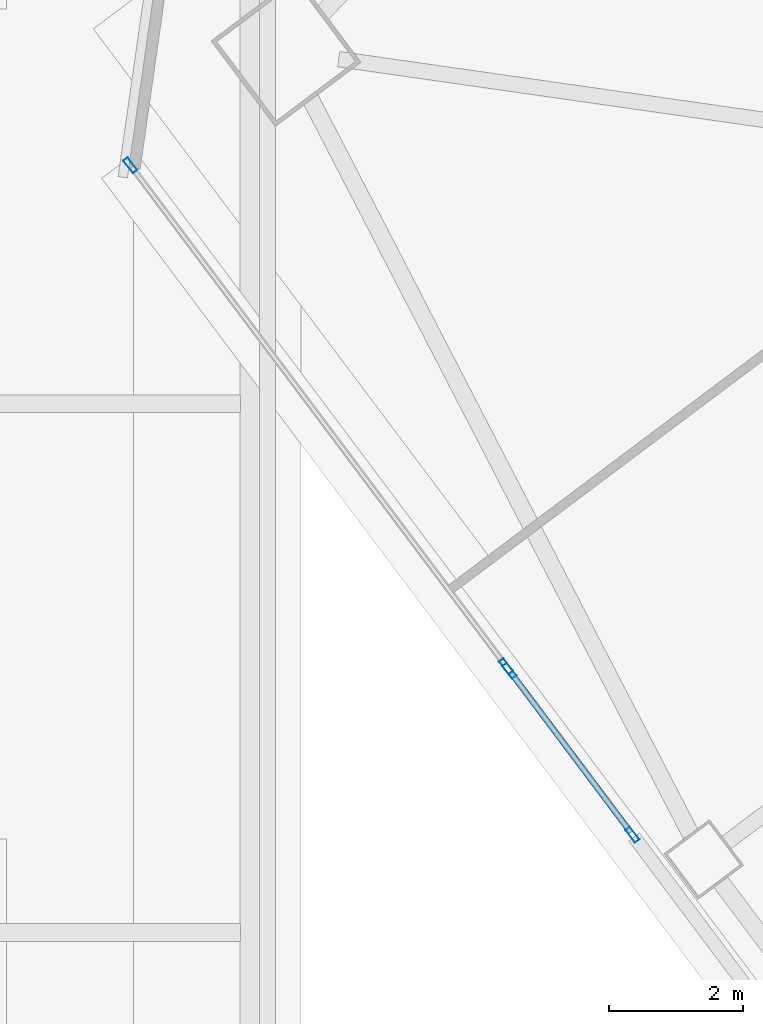
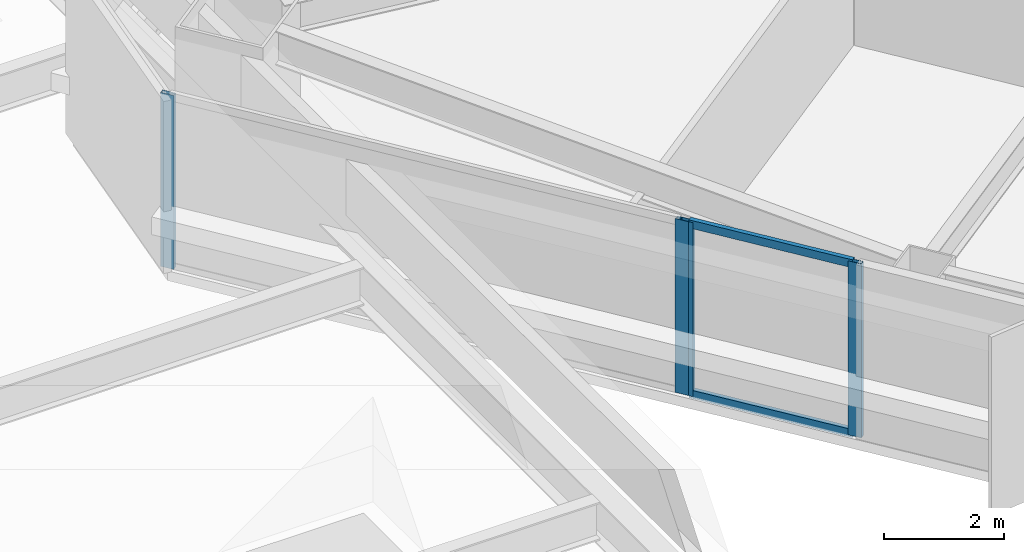
# One storey, part 23 of 62: 6 members, 2 elements without a shape of their own.
"""IFC4 building model written with IfcOpenShell, lengths in metres."""

from ifc_helpers import new_model, si_unit, direction, frame, origin, origin_2d, place, context, subcontext, project, spatial, hollow_rectangle, extrude, material, material_profile, profile_set, type_object, element, aggregate, save


model = new_model("IFC4")

# Units and contexts
model_context = context("Model", 3, precision=1e-05, world=origin(), true_north=direction((0.0, 1.0)))
body_context = subcontext(model_context, "Body", "Model", "MODEL_VIEW")
ifc_project = project(units=[si_unit("LENGTHUNIT", "METRE"), si_unit("AREAUNIT", "SQUARE_METRE"), si_unit("VOLUMEUNIT", "CUBIC_METRE"), si_unit("PLANEANGLEUNIT", "RADIAN"), si_unit("MASSUNIT", "GRAM", prefix="KILO")], contexts=[model_context])

# Site, building, storey
site_placement = place(None, origin())
site = spatial("IfcSite", under=ifc_project, at=site_placement, CompositionType="ELEMENT")
building_placement = place(site_placement, origin())
building = spatial("IfcBuilding", under=site, at=building_placement, Name="Tashvorn Skyway Center", CompositionType="ELEMENT")
storey_placement = place(building_placement, frame((0.0, 0.0, 28.14990234375)))
storey = spatial("IfcBuildingStorey", under=building, at=storey_placement, Name="L06", CompositionType="ELEMENT", Elevation=28.14990234375)

# Curtain wall, members
ifc_material = material(Name="Thermally broken bronze-anodized aluminium 6063-T6", Category="aluminium")
curtain_wall_type = type_object("IfcCurtainWallType", Name="CW-CW-Z1", PredefinedType="NOTDEFINED", material=ifc_material)
curtain_wall_1_placement = place(storey_placement, origin())
curtain_wall_1 = element("IfcCurtainWall", 1, at=curtain_wall_1_placement, inside=storey, type_object=curtain_wall_type, Name="Tower 2 L06 West Unitised Curtain Wall Glazing Group 3", PredefinedType="NOTDEFINED")
ifc_material_profile_1 = material_profile(ifc_material, hollow_rectangle(XDim=0.0849609375, YDim=0.239990234375, WallThickness=0.0048828125, at=origin_2d()), Name="ALU-MULL-85x240")
ifc_profile_set_1 = profile_set([ifc_material_profile_1], Name="Thermally broken bronze-anodized aluminium 6063-T6")
member_type_1 = type_object("IfcMemberType", Name="CWM-CW-Z1", PredefinedType="MULLION", material=ifc_profile_set_1)
member_1_placement = place(storey_placement, frame((92.8544921875, 24.060791015625, 0.0), z_axis=(0.0, 0.0, 1.0), x_axis=(-0.799996186392, -0.600005084776, 0.0)))
member_1 = element("IfcMember", 2, at=member_1_placement, type_object=member_type_1, Name="CW-Z1 mullion 1", PredefinedType="MULLION", context=body_context, shape_type="SweptSolid", body=[
    extrude(hollow_rectangle(XDim=0.0849609375, YDim=0.239990234375, WallThickness=0.0048828125, at=origin_2d()), origin(), (0.0, 0.0, 1.0), 3.550048828125),
])
member_2_placement = place(storey_placement, frame((91.017578125, 26.510009765625, 0.0), z_axis=(0.0, 0.0, 1.0), x_axis=(-0.799996186392, -0.600005084776, 0.0)))
member_2 = element("IfcMember", 3, at=member_2_placement, type_object=member_type_1, Name="CW-Z1 mullion 2", PredefinedType="MULLION", context=body_context, shape_type="SweptSolid", body=[
    extrude(hollow_rectangle(XDim=0.0849609375, YDim=0.239990234375, WallThickness=0.0048828125, at=origin_2d()), origin(), (0.0, 0.0, 1.0), 3.550048828125),
])

curtain_wall_2_placement = place(storey_placement, origin())
curtain_wall_2 = element("IfcCurtainWall", 4, at=curtain_wall_2_placement, inside=storey, type_object=curtain_wall_type, Name="Tower 2 L06 West Unitised Curtain Wall Glazing Group 4", PredefinedType="NOTDEFINED")
member_3_placement = place(storey_placement, frame((90.966552734375, 26.577880859375, 0.0), z_axis=(0.0, 0.0, 1.0), x_axis=(-0.799999999998, -0.600000000002, 0.0)))
member_3 = element("IfcMember", 5, at=member_3_placement, type_object=member_type_1, Name="CW-Z1 mullion 1", PredefinedType="MULLION", context=body_context, shape_type="SweptSolid", body=[
    extrude(hollow_rectangle(XDim=0.0849609375, YDim=0.239990234375, WallThickness=0.0048828125, at=origin_2d()), origin(), (0.0, 0.0, 1.0), 3.550048828125),
])
member_4_placement = place(storey_placement, frame((85.353515625, 34.06201171875, 0.0), z_axis=(0.0, 0.0, 1.0), x_axis=(-0.799999999998, -0.600000000002, 0.0)))
member_4 = element("IfcMember", 6, at=member_4_placement, type_object=member_type_1, Name="CW-Z1 mullion 2", PredefinedType="MULLION", context=body_context, shape_type="SweptSolid", body=[
    extrude(hollow_rectangle(XDim=0.0849609375, YDim=0.239990234375, WallThickness=0.0048828125, at=origin_2d()), origin(), (0.0, 0.0, 1.0), 3.550048828125),
])
aggregate(curtain_wall_2, [member_3, member_4])

# Member
ifc_material_profile_2 = material_profile(ifc_material, hollow_rectangle(XDim=0.0849609375, YDim=0.1650390625, WallThickness=0.0048828125, at=origin_2d()), Name="ALU-TRAN-85x165")
ifc_profile_set_2 = profile_set([ifc_material_profile_2], Name="Thermally broken bronze-anodized aluminium 6063-T6")
member_type_2 = type_object("IfcMemberType", Name="CWT-CW-Z1", PredefinedType="USERDEFINED", material=ifc_profile_set_2)
member_5_placement = place(storey_placement, frame((92.8291015625, 24.0947265625, 0.04248046875), z_axis=(-0.600026244674, 0.799980315822, 0.0), x_axis=(-0.799980315822, -0.600026244674, 0.0)))
member_5 = element("IfcMember", 7, at=member_5_placement, type_object=member_type_2, Name="CW-Z1 transom 1.1", ObjectType="TRANSOM", PredefinedType="USERDEFINED", context=body_context, shape_type="SweptSolid", body=[
    extrude(hollow_rectangle(XDim=0.0849609375, YDim=0.1650390625, WallThickness=0.0048828125, at=origin_2d()), origin(), (0.0, 0.0, 1.0), 2.976806640625),
])

member_6_placement = place(storey_placement, frame((92.8291015625, 24.0947265625, 3.507568359375), z_axis=(-0.600026244674, 0.799980315822, 0.0), x_axis=(-0.799980315822, -0.600026244674, 0.0)))
member_6 = element("IfcMember", 8, at=member_6_placement, type_object=member_type_2, Name="CW-Z1 transom 1.2", ObjectType="TRANSOM", PredefinedType="USERDEFINED", context=body_context, shape_type="SweptSolid", body=[
    extrude(hollow_rectangle(XDim=0.0849609375, YDim=0.1650390625, WallThickness=0.0048828125, at=origin_2d()), origin(), (0.0, 0.0, 1.0), 2.976806640625),
])

aggregate(curtain_wall_1, [member_1, member_2, member_5, member_6])

save(model, "model.ifc")
